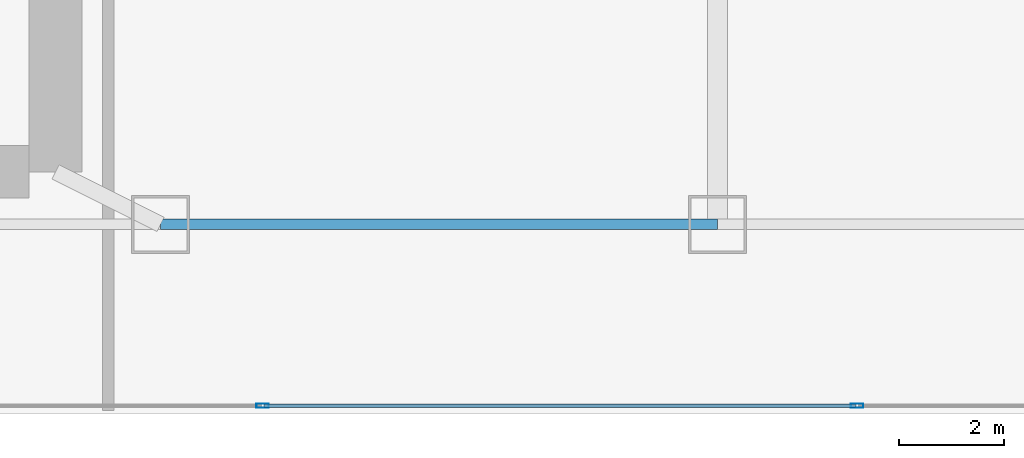
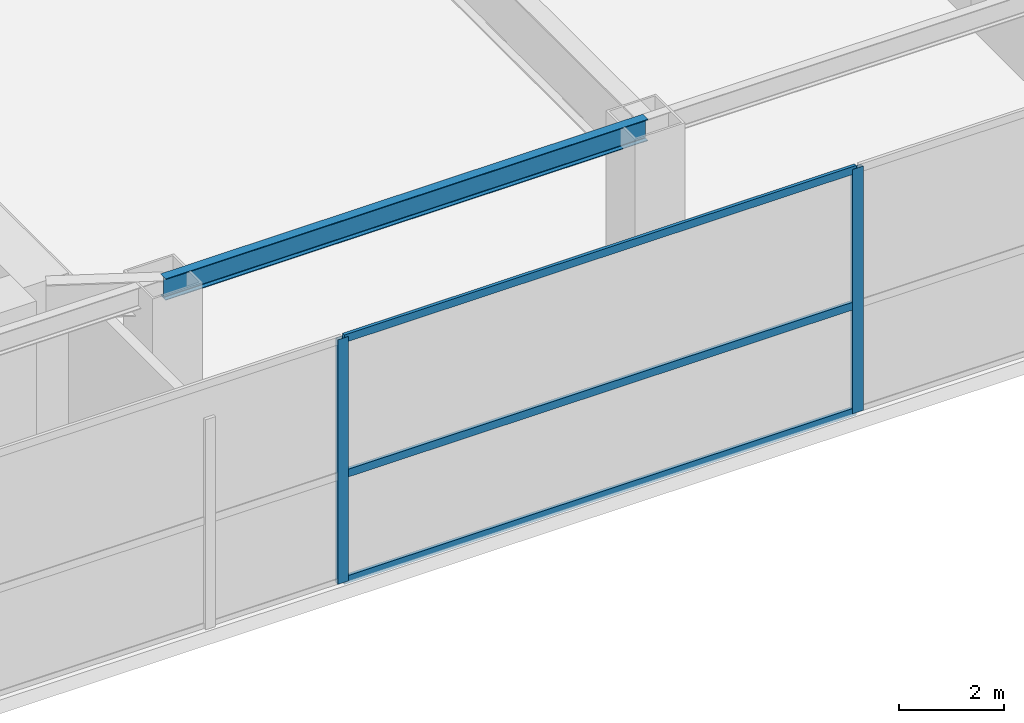
# One storey, part 11 of 35: 5 members, 1 beam, 1 element without a shape of its own.
"""IFC4 building model written with IfcOpenShell, lengths in metres."""

from ifc_helpers import new_model, si_unit, direction, frame, origin, origin_2d, place, context, subcontext, project, spatial, hollow_rectangle, i_section, extrude, material, layer, layer_set, material_profile, profile_set, type_object, element, aggregate, save


model = new_model("IFC4")

# Units and contexts
model_context = context("Model", 3, precision=1e-05, world=origin(), true_north=direction((0.0, 1.0)))
body_context = subcontext(model_context, "Body", "Model", "MODEL_VIEW")
ifc_project = project(units=[si_unit("LENGTHUNIT", "METRE"), si_unit("AREAUNIT", "SQUARE_METRE"), si_unit("VOLUMEUNIT", "CUBIC_METRE"), si_unit("PLANEANGLEUNIT", "RADIAN"), si_unit("MASSUNIT", "GRAM", prefix="KILO")], contexts=[model_context])

# Site, building, storey
site_placement = place(None, origin())
site = spatial("IfcSite", under=ifc_project, at=site_placement, CompositionType="ELEMENT")
building_placement = place(site_placement, origin())
building = spatial("IfcBuilding", under=site, at=building_placement, Name="Calvorn Quay Hotel", CompositionType="ELEMENT")
storey_placement = place(building_placement, frame((0.0, 0.0, 6.0)))
storey = spatial("IfcBuildingStorey", under=building, at=storey_placement, Name="L01", CompositionType="ELEMENT", Elevation=6.0)

# Beam
ifc_material_1 = material(Name="Steel Q355B", Category="steel")
ifc_material_profile_1 = material_profile(ifc_material_1, i_section(OverallWidth=0.199951171875, OverallDepth=0.5, WebThickness=0.010009765625, FlangeThickness=0.01611328125, FilletRadius=0.01611328125, at=origin_2d()), Name="HN500x200x10x16")
ifc_profile_set_1 = profile_set([ifc_material_profile_1], Name="Steel Q355B")
beam_type = type_object("IfcBeamType", Name="BM-SPANDREL-Z1", PredefinedType="SPANDREL", material=ifc_profile_set_1)
beam_placement = place(storey_placement, frame((34.39990234375, 3.60009765625, 5.429931640625), z_axis=(1.0, 0.0, 0.0), x_axis=(0.0, 1.0, 0.0)))
element("IfcBeam", 1, at=beam_placement, inside=storey, type_object=beam_type, Name="Beam BSP-L01-S4", PredefinedType="SPANDREL", context=body_context, shape_type="SweptSolid", body=[
    extrude(i_section(OverallWidth=0.199951171875, OverallDepth=0.5, WebThickness=0.010009765625, FlangeThickness=0.01611328125, FilletRadius=0.01611328125, at=origin_2d()), origin(), (0.0, 0.0, 1.0), 10.60009765625),
])

# Curtain wall, members
ifc_material_2 = material(Name="Pale Anodised Aluminium and Low-E Glass", Category="aluminium")
ifc_layer = layer(ifc_material_2, 0.219970703125)
ifc_layer_set = layer_set([ifc_layer], Name="CW-SYS-POD")
curtain_wall_type = type_object("IfcCurtainWallType", Name="CW-SYS-POD", PredefinedType="NOTDEFINED", material=ifc_layer_set)
curtain_wall_placement = place(storey_placement, origin())
curtain_wall = element("IfcCurtainWall", 2, at=curtain_wall_placement, inside=storey, type_object=curtain_wall_type, Name="Podium Curtain Wall L01-S1", PredefinedType="NOTDEFINED")
ifc_material_3 = material(Name="Pale Anodised Aluminium 6063-T6", Category="aluminium")
ifc_material_profile_2 = material_profile(ifc_material_3, hollow_rectangle(XDim=0.080078125, YDim=0.239990234375, WallThickness=0.0048828125, at=origin_2d()), Name="ALU-M240x80x5")
ifc_profile_set_2 = profile_set([ifc_material_profile_2], Name="Pale Anodised Aluminium 6063-T6")
member_type_1 = type_object("IfcMemberType", Name="CW-SYS-POD-MUL", PredefinedType="MULLION", material=ifc_profile_set_2)
member_1_placement = place(storey_placement, frame((36.3427734375, 0.14990234375, 0.0), z_axis=(0.0, 0.0, 1.0), x_axis=(0.0, 1.0, 0.0)))
member_1 = element("IfcMember", 3, at=member_1_placement, type_object=member_type_1, Name="CW-L01-S1 mullion 4", PredefinedType="MULLION", context=body_context, shape_type="SweptSolid", body=[
    extrude(hollow_rectangle(XDim=0.080078125, YDim=0.239990234375, WallThickness=0.0048828125, at=origin_2d()), origin(), (0.0, 0.0, 1.0), 5.679931640625),
])
member_2_placement = place(storey_placement, frame((47.6572265625, 0.14990234375, 0.0), z_axis=(0.0, 0.0, 1.0), x_axis=(0.0, 1.0, 0.0)))
member_2 = element("IfcMember", 4, at=member_2_placement, type_object=member_type_1, Name="CW-L01-S1 mullion 5", PredefinedType="MULLION", context=body_context, shape_type="SweptSolid", body=[
    extrude(hollow_rectangle(XDim=0.080078125, YDim=0.239990234375, WallThickness=0.0048828125, at=origin_2d()), origin(), (0.0, 0.0, 1.0), 5.679931640625),
])
ifc_material_4 = material(Name="Pale Anodised Aluminium 6063-T6", Category="aluminium")
ifc_material_profile_3 = material_profile(ifc_material_4, hollow_rectangle(XDim=0.070068359375, YDim=0.179931640625, WallThickness=0.00390625, at=origin_2d()), Name="ALU-T180x70x4")
ifc_profile_set_3 = profile_set([ifc_material_profile_3], Name="Pale Anodised Aluminium 6063-T6")
member_type_2 = type_object("IfcMemberType", Name="CW-SYS-POD-TRN", PredefinedType="USERDEFINED", material=ifc_profile_set_3)
member_3_placement = place(storey_placement, frame((36.372802734375, 0.14990234375, 0.030029296875), z_axis=(1.0, 0.0, 0.0), x_axis=(0.0, 1.0, 0.0)))
member_3 = element("IfcMember", 5, at=member_3_placement, type_object=member_type_2, Name="CW-L01-S1 transom 4.1", ObjectType="TRANSOM", PredefinedType="USERDEFINED", context=body_context, shape_type="SweptSolid", body=[
    extrude(hollow_rectangle(XDim=0.070068359375, YDim=0.179931640625, WallThickness=0.00390625, at=origin_2d()), origin(), (0.0, 0.0, 1.0), 11.25439453125),
])
member_4_placement = place(storey_placement, frame((36.372802734375, 0.14990234375, 2.5), z_axis=(1.0, 0.0, 0.0), x_axis=(0.0, 1.0, 0.0)))
member_4 = element("IfcMember", 6, at=member_4_placement, type_object=member_type_2, Name="CW-L01-S1 transom 4.2", ObjectType="TRANSOM", PredefinedType="USERDEFINED", context=body_context, shape_type="SweptSolid", body=[
    extrude(hollow_rectangle(XDim=0.070068359375, YDim=0.179931640625, WallThickness=0.00390625, at=origin_2d()), origin(), (0.0, 0.0, 1.0), 11.25439453125),
])
member_5_placement = place(storey_placement, frame((36.372802734375, 0.14990234375, 5.64990234375), z_axis=(1.0, 0.0, 0.0), x_axis=(0.0, 1.0, 0.0)))
member_5 = element("IfcMember", 7, at=member_5_placement, type_object=member_type_2, Name="CW-L01-S1 transom 4.3", ObjectType="TRANSOM", PredefinedType="USERDEFINED", context=body_context, shape_type="SweptSolid", body=[
    extrude(hollow_rectangle(XDim=0.070068359375, YDim=0.179931640625, WallThickness=0.00390625, at=origin_2d()), origin(), (0.0, 0.0, 1.0), 11.25439453125),
])
aggregate(curtain_wall, [member_1, member_2, member_3, member_4, member_5])

save(model, "model.ifc")
